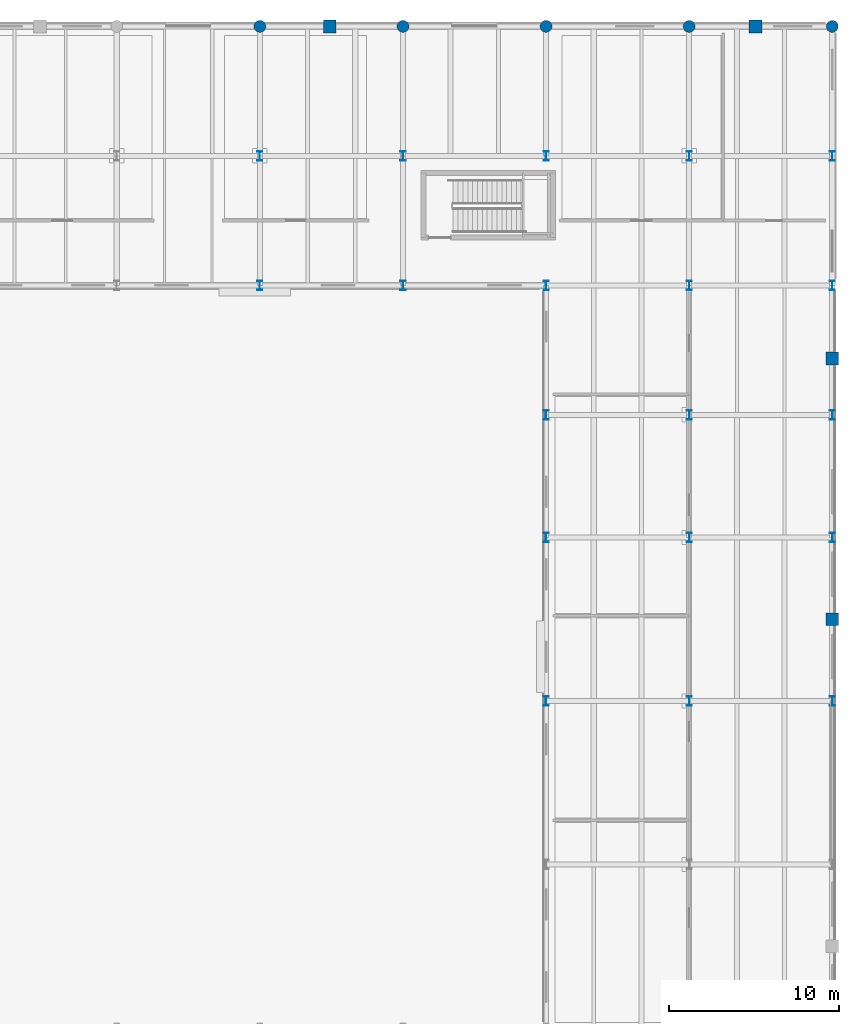
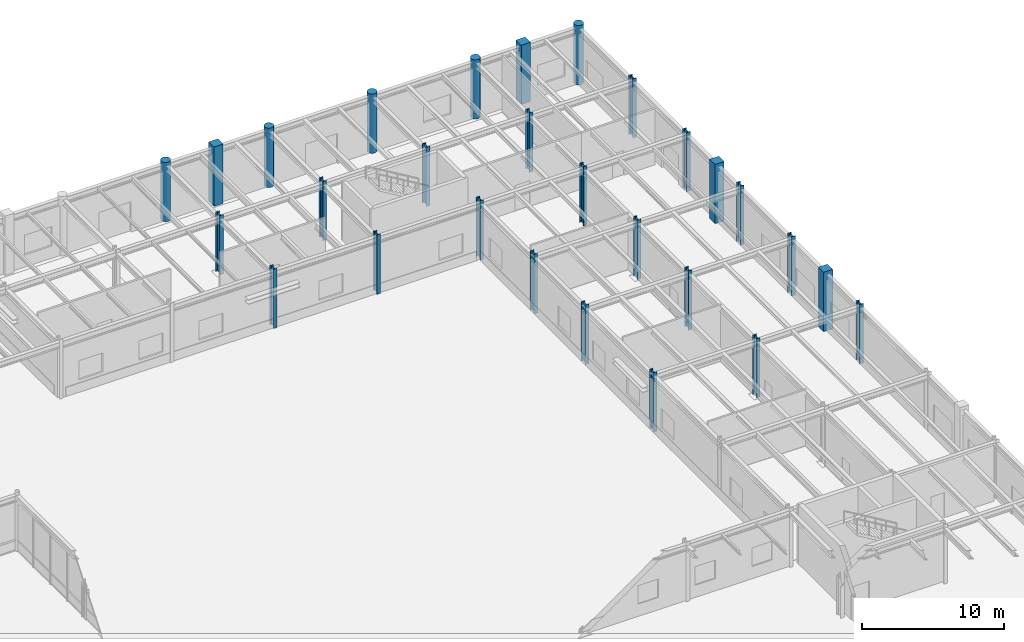
# One storey, part 16 of 64: 28 columns.
"""IFC4 building model written with IfcOpenShell, lengths in metres."""

from ifc_helpers import new_model, si_unit, direction, frame, origin, origin_2d, place, context, subcontext, project, spatial, rectangle, circle, i_section, extrude, material, material_profile, profile_set, type_object, element, save


model = new_model("IFC4")

# Units and contexts
model_context = context("Model", 3, precision=1e-05, world=origin(), true_north=direction((0.0, 1.0)))
body_context = subcontext(model_context, "Body", "Model", "MODEL_VIEW")
ifc_project = project(units=[si_unit("LENGTHUNIT", "METRE"), si_unit("AREAUNIT", "SQUARE_METRE"), si_unit("VOLUMEUNIT", "CUBIC_METRE"), si_unit("PLANEANGLEUNIT", "RADIAN"), si_unit("MASSUNIT", "GRAM", prefix="KILO")], contexts=[model_context])

# Site, building, storey
site_placement = place(None, origin())
site = spatial("IfcSite", under=ifc_project, at=site_placement, CompositionType="ELEMENT")
building_placement = place(site_placement, origin())
building = spatial("IfcBuilding", under=site, at=building_placement, Name="Montealbar Specialist Clinic", CompositionType="ELEMENT")
storey_placement = place(building_placement, origin())
storey = spatial("IfcBuildingStorey", under=building, at=storey_placement, Name="L00", CompositionType="ELEMENT", Elevation=0.0)

# Columns
ifc_material_1 = material(Name="Concrete C35/45", Category="concrete")
ifc_material_profile_1 = material_profile(ifc_material_1, circle(Radius=0.35009765625, at=origin_2d()), Name="RC D700", Category="concrete")
ifc_profile_set_1 = profile_set([ifc_material_profile_1], Name="Concrete C35/45")
column_type_1 = type_object("IfcColumnType", Name="COL-COLONNADE-CYL-EXT", PredefinedType="COLUMN", material=ifc_profile_set_1)
for number, where, z_axis, x_axis, name in (
    (1, (128.39990234375, 111.0, 0.0), (0.0, 0.0, 1.0), (1.0, 0.0, 0.0), "Column 17/P L00"),
    (2, (136.800048828125, 111.0, 0.0), (0.0, 0.0, 1.0), (1.0, 0.0, 0.0), "Column 18/P L00"),
    (3, (145.199951171875, 111.0, 0.0), (0.0, 0.0, 1.0), (1.0, 0.0, 0.0), "Column 19/P L00"),
    (4, (153.60009765625, 111.0, 0.0), (0.0, 0.0, 1.0), (1.0, 0.0, 0.0), "Column 20/P L00"),
    (5, (162.0, 111.0, 0.0), (0.0, 0.0, 1.0), (1.0, 0.0, 0.0), "Column 21/P L00"),
):
    element("IfcColumn", number, at=place(storey_placement, frame(where, z_axis=z_axis, x_axis=x_axis)), inside=storey, type_object=column_type_1, Name=name, PredefinedType="COLUMN", context=body_context, shape_type="SweptSolid", body=[
        extrude(circle(Radius=0.35009765625, at=origin_2d()), origin(), (0.0, 0.0, 1.0), 5.10009765625),
    ])
ifc_material_2 = material(Name="Steel S355", Category="steel")
ifc_material_profile_2 = material_profile(ifc_material_2, i_section(OverallWidth=0.300048828125, OverallDepth=0.550048828125, WebThickness=0.014892578125, FlangeThickness=0.029052734375, FilletRadius=0.027099609375, at=origin_2d()), Name="HEB 550", Category="steel")
ifc_profile_set_2 = profile_set([ifc_material_profile_2], Name="Steel S355")
column_type_2 = type_object("IfcColumnType", Name="COL-S-L00-HVY", PredefinedType="COLUMN", material=ifc_profile_set_2)
for number, where, z_axis, x_axis, name in (
    (6, (128.39990234375, 103.39990234375, 0.0), (0.0, 0.0, 1.0), (1.0, 0.0, 0.0), "Column 17/N L00"),
    (7, (136.800048828125, 103.39990234375, 0.0), (0.0, 0.0, 1.0), (1.0, 0.0, 0.0), "Column 18/N L00"),
    (8, (145.199951171875, 103.39990234375, 0.0), (0.0, 0.0, 1.0), (1.0, 0.0, 0.0), "Column 19/N L00"),
    (9, (153.60009765625, 71.39990234375, 0.0), (0.0, 0.0, 1.0), (1.0, 0.0, 0.0), "Column 20/J L00"),
    (10, (153.60009765625, 81.0, 0.0), (0.0, 0.0, 1.0), (1.0, 0.0, 0.0), "Column 20/K L00"),
    (11, (153.60009765625, 88.199951171875, 0.0), (0.0, 0.0, 1.0), (1.0, 0.0, 0.0), "Column 20/L L00"),
    (12, (153.60009765625, 95.800048828125, 0.0), (0.0, 0.0, 1.0), (1.0, 0.0, 0.0), "Column 20/M L00"),
    (13, (153.60009765625, 103.39990234375, 0.0), (0.0, 0.0, 1.0), (1.0, 0.0, 0.0), "Column 20/N L00"),
):
    element("IfcColumn", number, at=place(storey_placement, frame(where, z_axis=z_axis, x_axis=x_axis)), inside=storey, type_object=column_type_2, Name=name, PredefinedType="COLUMN", context=body_context, shape_type="SweptSolid", body=[
        extrude(i_section(OverallWidth=0.300048828125, OverallDepth=0.550048828125, WebThickness=0.014892578125, FlangeThickness=0.029052734375, FilletRadius=0.027099609375, at=origin_2d()), origin(), (0.0, 0.0, 1.0), 5.10009765625),
    ])
ifc_material_profile_3 = material_profile(ifc_material_2, i_section(OverallWidth=0.300048828125, OverallDepth=0.550048828125, WebThickness=0.014892578125, FlangeThickness=0.029052734375, FilletRadius=0.027099609375, at=origin_2d()), Name="HEB 550", Category="steel")
ifc_profile_set_3 = profile_set([ifc_material_profile_3], Name="Steel S355")
column_type_3 = type_object("IfcColumnType", Name="COL-S-L00-HVY-EXT", PredefinedType="COLUMN", material=ifc_profile_set_3)
for number, where, z_axis, x_axis, name in (
    (14, (128.39990234375, 95.800048828125, 0.0), (0.0, 0.0, 1.0), (1.0, 0.0, 0.0), "Column 17/M L00"),
    (15, (136.800048828125, 95.800048828125, 0.0), (0.0, 0.0, 1.0), (1.0, 0.0, 0.0), "Column 18/M L00"),
    (16, (145.199951171875, 71.39990234375, 0.0), (0.0, 0.0, 1.0), (1.0, 0.0, 0.0), "Column 19/J L00"),
    (17, (145.199951171875, 81.0, 0.0), (0.0, 0.0, 1.0), (1.0, 0.0, 0.0), "Column 19/K L00"),
    (18, (145.199951171875, 88.199951171875, 0.0), (0.0, 0.0, 1.0), (1.0, 0.0, 0.0), "Column 19/L L00"),
    (19, (145.199951171875, 95.800048828125, 0.0), (0.0, 0.0, 1.0), (1.0, 0.0, 0.0), "Column 19/M L00"),
    (20, (162.0, 71.39990234375, 0.0), (0.0, 0.0, 1.0), (1.0, 0.0, 0.0), "Column 21/J L00"),
    (21, (162.0, 81.0, 0.0), (0.0, 0.0, 1.0), (1.0, 0.0, 0.0), "Column 21/K L00"),
    (22, (162.0, 88.199951171875, 0.0), (0.0, 0.0, 1.0), (1.0, 0.0, 0.0), "Column 21/L L00"),
    (23, (162.0, 95.800048828125, 0.0), (0.0, 0.0, 1.0), (1.0, 0.0, 0.0), "Column 21/M L00"),
    (24, (162.0, 103.39990234375, 0.0), (0.0, 0.0, 1.0), (1.0, 0.0, 0.0), "Column 21/N L00"),
):
    element("IfcColumn", number, at=place(storey_placement, frame(where, z_axis=z_axis, x_axis=x_axis)), inside=storey, type_object=column_type_3, Name=name, PredefinedType="COLUMN", context=body_context, shape_type="SweptSolid", body=[
        extrude(i_section(OverallWidth=0.300048828125, OverallDepth=0.550048828125, WebThickness=0.014892578125, FlangeThickness=0.029052734375, FilletRadius=0.027099609375, at=origin_2d()), origin(), (0.0, 0.0, 1.0), 5.10009765625),
    ])
ifc_material_3 = material(Name="Guadarrama granite ashlar", Category="masonry")
ifc_material_profile_4 = material_profile(ifc_material_3, rectangle(XDim=0.75, YDim=0.75, at=origin_2d()), Name="GRANITE PILASTER 750x750", Category="masonry")
ifc_profile_set_4 = profile_set([ifc_material_profile_4], Name="Guadarrama granite ashlar")
column_type_4 = type_object("IfcColumnType", Name="PIL-PM-GIANT-EXT", PredefinedType="PILASTER", material=ifc_profile_set_4)
for number, where, z_axis, x_axis, name in (
    (25, (132.5, 111.0, 0.0), (0.0, 0.0, 1.0), (1.0, 0.0, 0.0), "Column NP11/P L00"),
    (26, (157.5, 111.0, 0.0), (0.0, 0.0, 1.0), (1.0, 0.0, 0.0), "Column NP12/P L00"),
    (27, (162.0, 76.199951171875, 0.0), (0.0, 0.0, 1.0), (1.0, 0.0, 0.0), "Column EP3/JK L00"),
    (28, (162.0, 91.5, 0.0), (0.0, 0.0, 1.0), (1.0, 0.0, 0.0), "Column EP4/LM L00"),
):
    element("IfcColumn", number, at=place(storey_placement, frame(where, z_axis=z_axis, x_axis=x_axis)), inside=storey, type_object=column_type_4, Name=name, PredefinedType="PILASTER", context=body_context, shape_type="SweptSolid", body=[
        extrude(rectangle(XDim=0.75, YDim=0.75, at=origin_2d()), origin(), (0.0, 0.0, 1.0), 5.10009765625),
    ])

save(model, "model.ifc")
